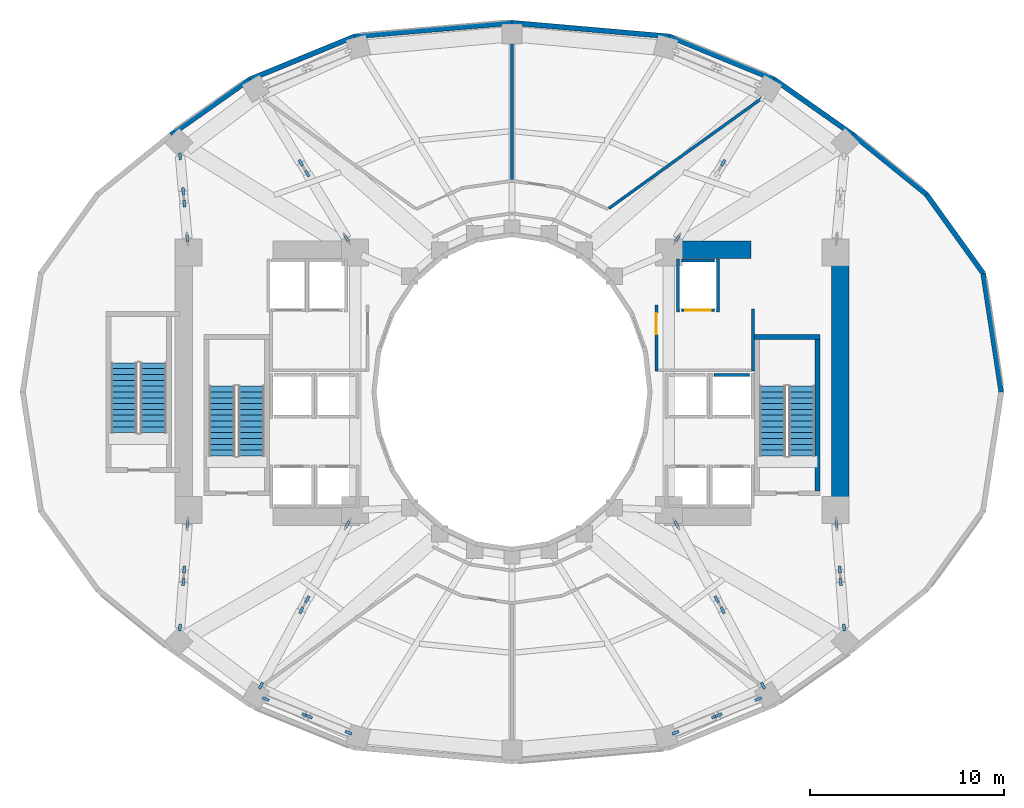
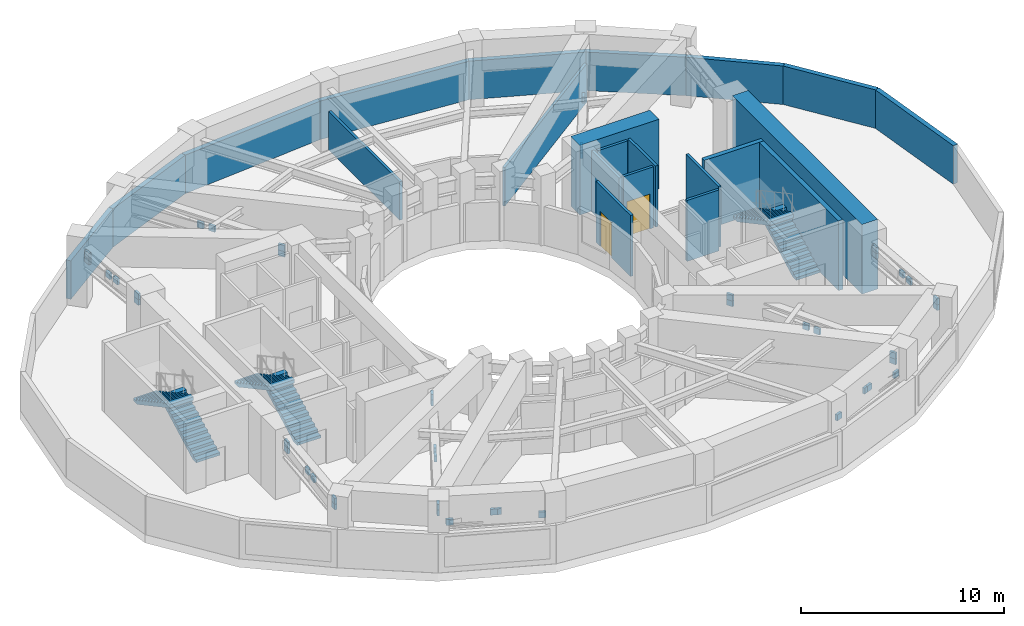
# One storey, part 6 of 10: 45 discrete accessories, 22 walls, 6 stair flights, 2 doors, 2 openings, 3 elements without a shape of their own.
"""IFC4 building model written with IfcOpenShell, lengths in metres."""

from ifc_helpers import new_model, si_unit, direction, frame, frame_2d, origin, origin_2d, place, context, subcontext, project, spatial, polyline, rectangle, outline, extrude, material, layer, layer_set, type_object, element, fill, aggregate, save


model = new_model("IFC4")

# Units and contexts
model_context = context("Model", 3, precision=1e-05, world=origin(), true_north=direction((0.0, 1.0)))
body_context = subcontext(model_context, "Body", "Model", "MODEL_VIEW")
ifc_project = project(units=[si_unit("LENGTHUNIT", "METRE"), si_unit("AREAUNIT", "SQUARE_METRE"), si_unit("VOLUMEUNIT", "CUBIC_METRE"), si_unit("PLANEANGLEUNIT", "RADIAN"), si_unit("MASSUNIT", "GRAM", prefix="KILO")], contexts=[model_context])

# Site, building, storey
site_placement = place(None, origin())
site = spatial("IfcSite", under=ifc_project, at=site_placement, CompositionType="ELEMENT")
building_placement = place(site_placement, origin())
building = spatial("IfcBuilding", under=site, at=building_placement, Name="Solvane Sanctuary Tower", CompositionType="ELEMENT")
storey_placement = place(building_placement, frame((0.0, 0.0, 64.800048828125)))
storey = spatial("IfcBuildingStorey", under=building, at=storey_placement, Name="L19", CompositionType="ELEMENT", Elevation=64.800048828125)

# Walls
ifc_material_1 = material(Name="Concrete C70/85", Category="concrete")
ifc_layer_1 = layer(ifc_material_1, 0.89990234375, Name="Concrete C70/85")
ifc_layer_set_1 = layer_set([ifc_layer_1], Name="Concrete C70/85")
wall_type_1 = type_object("IfcWallType", Name="Wall W-CORE-900", PredefinedType="SHEAR", material=ifc_layer_set_1)
wall_1_placement = place(storey_placement, frame((48.949951171875, 17.050048828125, 0.0), z_axis=(0.0, 0.0, 1.0), x_axis=(0.0, 1.0, 0.0)))
element("IfcWall", 1, at=wall_1_placement, inside=storey, type_object=wall_type_1, Name="L19 Core Shear Wall EC-E", PredefinedType="SHEAR", context=body_context, shape_type="SweptSolid", body=[
    extrude(rectangle(XDim=12.800048828125, YDim=0.89990234375, at=frame_2d((6.39990234375, 0.0))), origin(), (0.0, 0.0, 1.0), 4.199951171875),
])
wall_2_placement = place(storey_placement, frame((39.85009765625, 30.35009765625, 0.0), z_axis=(0.0, 0.0, 1.0), x_axis=(1.0, 0.0, 0.0)))
element("IfcWall", 2, at=wall_2_placement, inside=storey, type_object=wall_type_1, Name="L19 Core Shear Wall EC-N", PredefinedType="SHEAR", context=body_context, shape_type="SweptSolid", body=[
    extrude(rectangle(XDim=4.5, YDim=0.89990234375, at=frame_2d((2.25, 0.0))), origin(), (0.0, 0.0, 1.0), 4.199951171875),
])
ifc_material_2 = material(Name="Acoustic Gypsum Partition Board")
ifc_layer_2 = layer(ifc_material_2, 0.14990234375, Name="Acoustic Gypsum Partition Board")
ifc_layer_set_2 = layer_set([ifc_layer_2], Name="Acoustic Gypsum Partition Board")
wall_type_2 = type_object("IfcWallType", Name="Wall W-CORR-150", PredefinedType="PARTITIONING", material=ifc_layer_set_2)
wall_3_placement = place(storey_placement, frame((44.449951171875, 24.080078125, 0.0), z_axis=(0.0, 0.0, 1.0), x_axis=(0.0, 1.0, 0.0)))
element("IfcWall", 3, at=wall_3_placement, inside=storey, type_object=wall_type_2, Name="L19 East Firefighting Lobby East Wall", PredefinedType="PARTITIONING", context=body_context, shape_type="SweptSolid", body=[
    extrude(rectangle(XDim=3.199951171875, YDim=0.14990234375, at=frame_2d((1.60009765625, 0.0))), origin(), (0.0, 0.0, 1.0), 3.675048828125),
])

# Wall, opening, door
wall_4_placement = place(storey_placement, frame((39.449951171875, 24.080078125, 0.0), z_axis=(0.0, 0.0, 1.0), x_axis=(0.0, 1.0, 0.0)))
wall_4 = element("IfcWall", 4, at=wall_4_placement, inside=storey, type_object=wall_type_2, Name="L19 East Firefighting Lobby West Wall", PredefinedType="PARTITIONING", context=body_context, shape_type="SweptSolid", body=[
    extrude(rectangle(XDim=3.39990234375, YDim=0.14990234375, at=frame_2d((1.699951171875, 0.0))), origin(), (0.0, 0.0, 1.0), 3.675048828125),
])
opening_1_placement = place(wall_4_placement, frame((1.893798828125, 0.0, 0.0)))
opening_1 = element("IfcOpeningElement", 5, at=opening_1_placement, cuts=wall_4, Name="Opening D-L19-05", PredefinedType="OPENING", context=body_context, shape_type="SweptSolid", body=[
    extrude(rectangle(XDim=1.10009765625, YDim=2.10009765625, at=frame_2d((0.550048828125, 1.050048828125))), frame((0.0, 0.0849609375, 0.0), z_axis=(0.0, -1.0, 0.0), x_axis=(1.0, 0.0, 0.0)), (0.0, 0.0, 1.0), 0.169921875),
])
ifc_material_3 = material(Name="Architectural Stainless Steel 316", Category="steel")
door_type_1 = type_object("IfcDoorType", Name="Door D-FFL", OperationType="NOTDEFINED", PredefinedType="DOOR", material=ifc_material_3)
door_1_placement = place(opening_1_placement, origin())
door_1 = element("IfcDoor", 6, at=door_1_placement, inside=storey, type_object=door_type_1, Name="L19 East Firefighting Lobby Fire Door", OperationType="SINGLE_SWING_RIGHT", OverallHeight=2.10009765625, OverallWidth=1.10009765625, PredefinedType="DOOR", context=body_context, shape_type="SweptSolid", body=[
    extrude(rectangle(XDim=1.10009765625, YDim=2.10009765625, at=frame_2d((0.550048828125, 1.050048828125))), frame((0.0, 0.02490234375, 0.0), z_axis=(0.0, -1.0, 0.0), x_axis=(1.0, 0.0, 0.0)), (0.0, 0.0, 1.0), 0.050048828125),
])
fill(opening_1, door_1)

# Walls
wall_5_placement = place(storey_placement, frame((36.99462890625, 32.4716796875, 0.0), z_axis=(0.0, 0.0, 1.0), x_axis=(0.811691742112, 0.584086051697, 0.0)))
element("IfcWall", 7, at=wall_5_placement, inside=storey, type_object=wall_type_2, Name="L19 Mechanical Plant Radial Wall 060", PredefinedType="PARTITIONING", context=body_context, shape_type="SweptSolid", body=[
    extrude(rectangle(XDim=9.824462890625, YDim=0.14990234375, at=frame_2d((4.912109375, 0.0))), origin(), (0.0, 0.0, 1.0), 2.320068359375),
])
wall_6_placement = place(storey_placement, frame((32.0, 33.955078125, 0.0), z_axis=(0.0, 0.0, 1.0), x_axis=(0.0, 1.0, 0.0)))
element("IfcWall", 8, at=wall_6_placement, inside=storey, type_object=wall_type_2, Name="L19 Mechanical Plant Radial Wall 090", PredefinedType="PARTITIONING", context=body_context, shape_type="SweptSolid", body=[
    extrude(rectangle(XDim=7.02001953125, YDim=0.14990234375, at=frame_2d((3.510009765625, 0.0))), origin(), (0.0, 0.0, 1.0), 2.320068359375),
])
ifc_material_4 = material(Name="Precast concrete C40/50", Category="concrete")
ifc_layer_3 = layer(ifc_material_4, 0.260009765625, Name="Precast concrete C40/50")
ifc_layer_set_3 = layer_set([ifc_layer_3], Name="Precast concrete C40/50")
wall_type_3 = type_object("IfcWallType", Name="Wall W-EXT-250", PredefinedType="STANDARD", material=ifc_layer_set_3)
wall_7_placement = place(storey_placement, frame((57.260009765625, 23.0, 0.0), z_axis=(0.0, 0.0, 1.0), x_axis=(-0.150748389741, 0.988572163775, 0.0)))
element("IfcWall", 9, at=wall_7_placement, inside=storey, type_object=wall_type_3, Name="L19 Mechanical Plant Perimeter Wall 00", PredefinedType="STANDARD", context=body_context, shape_type="SweptSolid", body=[
    extrude(rectangle(XDim=6.1962890625, YDim=0.260009765625, at=frame_2d((3.09814453125, 0.0))), origin(), (0.0, 0.0, 1.0), 2.320068359375),
])
wall_8_placement = place(storey_placement, frame((56.325927734375, 29.12548828125, 0.0), z_axis=(0.0, 0.0, 1.0), x_axis=(-0.58386496218, 0.81185079044, 0.0)))
element("IfcWall", 10, at=wall_8_placement, inside=storey, type_object=wall_type_3, Name="L19 Mechanical Plant Perimeter Wall 01", PredefinedType="STANDARD", context=body_context, shape_type="SweptSolid", body=[
    extrude(rectangle(XDim=5.031982421875, YDim=0.260009765625, at=frame_2d((2.51611328125, 0.0))), origin(), (0.0, 0.0, 1.0), 2.320068359375),
])
wall_9_placement = place(storey_placement, frame((53.387939453125, 33.210693359375, 0.0), z_axis=(0.0, 0.0, 1.0), x_axis=(-0.777097920144, 0.6293797125, 0.0)))
element("IfcWall", 11, at=wall_9_placement, inside=storey, type_object=wall_type_3, Name="L19 Mechanical Plant Perimeter Wall 02", PredefinedType="STANDARD", context=body_context, shape_type="SweptSolid", body=[
    extrude(rectangle(XDim=4.87548828125, YDim=0.260009765625, at=frame_2d((2.437744140625, 0.0))), origin(), (0.0, 0.0, 1.0), 2.320068359375),
])
wall_10_placement = place(storey_placement, frame((49.59912109375, 36.279296875, 0.0), z_axis=(0.0, 0.0, 1.0), x_axis=(-0.818106773799, 0.575066349792, 0.0)))
element("IfcWall", 12, at=wall_10_placement, inside=storey, type_object=wall_type_3, Name="L19 Mechanical Plant Perimeter Wall 03", PredefinedType="STANDARD", context=body_context, shape_type="SweptSolid", body=[
    extrude(rectangle(XDim=4.971435546875, YDim=0.260009765625, at=frame_2d((2.48583984375, 0.0))), origin(), (0.0, 0.0, 1.0), 2.320068359375),
])
wall_11_placement = place(storey_placement, frame((45.531982421875, 39.13818359375, 0.0), z_axis=(0.0, 0.0, 1.0), x_axis=(-0.925415283069, 0.378954553822, 0.0)))
element("IfcWall", 13, at=wall_11_placement, inside=storey, type_object=wall_type_3, Name="L19 Mechanical Plant Perimeter Wall 04", PredefinedType="STANDARD", context=body_context, shape_type="SweptSolid", body=[
    extrude(rectangle(XDim=5.850341796875, YDim=0.260009765625, at=frame_2d((2.92529296875, 0.0))), origin(), (0.0, 0.0, 1.0), 2.320068359375),
])
for number, where, z_axis, x_axis, name in (
    (14, (40.117919921875, 41.355224609375, 0.0), (0.0, 0.0, 1.0), (-0.996251934676, 0.086499032673, 0.0), "L19 Mechanical Plant Perimeter Wall 05"),
    (15, (32.0, 42.06005859375, 0.0), (0.0, 0.0, 1.0), (-0.996251934676, -0.086499032673, 0.0), "L19 Mechanical Plant Perimeter Wall 06"),
):
    element("IfcWall", number, at=place(storey_placement, frame(where, z_axis=z_axis, x_axis=x_axis)), inside=storey, type_object=wall_type_3, Name=name, PredefinedType="STANDARD", context=body_context, shape_type="SweptSolid", body=[
        extrude(rectangle(XDim=8.1484375, YDim=0.260009765625, at=frame_2d((4.07421875, 0.0))), origin(), (0.0, 0.0, 1.0), 2.320068359375),
    ])
wall_12_placement = place(storey_placement, frame((23.882080078125, 41.355224609375, 0.0), z_axis=(0.0, 0.0, 1.0), x_axis=(-0.925415283069, -0.378954553822, 0.0)))
element("IfcWall", 16, at=wall_12_placement, inside=storey, type_object=wall_type_3, Name="L19 Mechanical Plant Perimeter Wall 07", PredefinedType="STANDARD", context=body_context, shape_type="SweptSolid", body=[
    extrude(rectangle(XDim=5.850341796875, YDim=0.260009765625, at=frame_2d((2.92529296875, 0.0))), origin(), (0.0, 0.0, 1.0), 2.320068359375),
])
wall_13_placement = place(storey_placement, frame((18.468017578125, 39.13818359375, 0.0), z_axis=(0.0, 0.0, 1.0), x_axis=(-0.818106773799, -0.575066349792, 0.0)))
element("IfcWall", 17, at=wall_13_placement, inside=storey, type_object=wall_type_3, Name="L19 Mechanical Plant Perimeter Wall 08", PredefinedType="STANDARD", context=body_context, shape_type="SweptSolid", body=[
    extrude(rectangle(XDim=4.971435546875, YDim=0.260009765625, at=frame_2d((2.48583984375, 0.0))), origin(), (0.0, 0.0, 1.0), 2.320068359375),
])
ifc_material_5 = material(Name="Concrete C50/60", Category="concrete")
ifc_layer_4 = layer(ifc_material_5, 0.14990234375, Name="Concrete C50/60")
ifc_layer_set_4 = layer_set([ifc_layer_4], Name="Concrete C50/60")
wall_type_4 = type_object("IfcWallType", Name="Wall W-SHAFT-150", PredefinedType="SOLIDWALL", material=ifc_layer_set_4)
wall_14_placement = place(storey_placement, frame((42.43994140625, 23.8798828125, 0.0), z_axis=(0.0, 0.0, 1.0), x_axis=(1.0, 0.0, 0.0)))
element("IfcWall", 18, at=wall_14_placement, inside=storey, type_object=wall_type_4, Name="L19 PM-2 Lift Shaft Wall B", PredefinedType="SOLIDWALL", context=body_context, shape_type="SweptSolid", body=[
    extrude(rectangle(XDim=1.820068359375, YDim=0.14990234375, at=frame_2d((0.91015625, 0.0))), origin(), (0.0, 0.0, 1.0), 3.675048828125),
])

# Wall, opening, door
wall_15_placement = place(storey_placement, frame((40.739990234375, 27.219970703125, 0.0), z_axis=(0.0, 0.0, 1.0), x_axis=(1.0, 0.0, 0.0)))
wall_15 = element("IfcWall", 19, at=wall_15_placement, inside=storey, type_object=wall_type_4, Name="L19 FFL-2 Lift Shaft Wall F", PredefinedType="SOLIDWALL", context=body_context, shape_type="SweptSolid", body=[
    extrude(rectangle(XDim=1.719970703125, YDim=0.14990234375, at=frame_2d((0.85986328125, 0.0))), origin(), (0.0, 0.0, 1.0), 3.675048828125),
])
opening_2_placement = place(wall_15_placement, frame((0.2099609375, 0.0, 0.0)))
opening_2 = element("IfcOpeningElement", 20, at=opening_2_placement, cuts=wall_15, Name="Opening LD-L19-07", PredefinedType="OPENING", context=body_context, shape_type="SweptSolid", body=[
    extrude(rectangle(XDim=1.300048828125, YDim=2.10009765625, at=frame_2d((0.64990234375, 1.050048828125))), frame((0.0, 0.0849609375, 0.0), z_axis=(0.0, -1.0, 0.0), x_axis=(1.0, 0.0, 0.0)), (0.0, 0.0, 1.0), 0.169921875),
])
door_type_2 = type_object("IfcDoorType", Name="Door LD-FFL-1300", OperationType="NOTDEFINED", PredefinedType="DOOR", material=ifc_material_3)
door_2_placement = place(opening_2_placement, origin())
door_2 = element("IfcDoor", 21, at=door_2_placement, inside=storey, type_object=door_type_2, Name="L19 FFL-2 Lift Landing Door", OperationType="DOUBLE_DOOR_SLIDING", OverallHeight=2.10009765625, OverallWidth=1.300048828125, PredefinedType="DOOR", context=body_context, shape_type="SweptSolid", body=[
    extrude(rectangle(XDim=1.300048828125, YDim=2.10009765625, at=frame_2d((0.64990234375, 1.050048828125))), frame((0.0, 0.02490234375, 0.0), z_axis=(0.0, -1.0, 0.0), x_axis=(1.0, 0.0, 0.0)), (0.0, 0.0, 1.0), 0.050048828125),
])
fill(opening_2, door_2)

# Walls
wall_16_placement = place(storey_placement, frame((40.739990234375, 29.780029296875, 0.0), z_axis=(0.0, 0.0, 1.0), x_axis=(1.0, 0.0, 0.0)))
element("IfcWall", 22, at=wall_16_placement, inside=storey, type_object=wall_type_4, Name="L19 FFL-2 Lift Shaft Wall B", PredefinedType="SOLIDWALL", context=body_context, shape_type="SweptSolid", body=[
    extrude(rectangle(XDim=1.719970703125, YDim=0.14990234375, at=frame_2d((0.85986328125, 0.0))), origin(), (0.0, 0.0, 1.0), 3.675048828125),
])
for number, where, z_axis, x_axis, name in (
    (23, (40.570068359375, 27.139892578125, 0.0), (0.0, 0.0, 1.0), (0.0, 1.0, 0.0), "L19 FFL-2 Lift Shaft Wall S1"),
    (24, (42.6298828125, 27.139892578125, 0.0), (0.0, 0.0, 1.0), (0.0, 1.0, 0.0), "L19 FFL-2 Lift Shaft Wall S2"),
):
    element("IfcWall", number, at=place(storey_placement, frame(where, z_axis=z_axis, x_axis=x_axis)), inside=storey, type_object=wall_type_4, Name=name, PredefinedType="SOLIDWALL", context=body_context, shape_type="SweptSolid", body=[
        extrude(rectangle(XDim=2.72021484375, YDim=0.14990234375, at=frame_2d((1.360107421875, 0.0))), origin(), (0.0, 0.0, 1.0), 3.675048828125),
    ])
ifc_layer_5 = layer(ifc_material_5, 0.25, Name="Concrete C50/60")
ifc_layer_set_5 = layer_set([ifc_layer_5], Name="Concrete C50/60")
wall_type_5 = type_object("IfcWallType", Name="Wall W-SHAFT-250", PredefinedType="SOLIDWALL", material=ifc_layer_set_5)
wall_17_placement = place(storey_placement, frame((44.52490234375, 25.830078125, 0.0), z_axis=(0.0, 0.0, 1.0), x_axis=(1.0, 0.0, 0.0)))
element("IfcWall", 25, at=wall_17_placement, inside=storey, type_object=wall_type_5, Name="L19 ST-2 Load-Bearing Shaft Wall N", PredefinedType="SOLIDWALL", context=body_context, shape_type="SweptSolid", body=[
    extrude(rectangle(XDim=3.3701171875, YDim=0.25, at=frame_2d((1.68505859375, 0.0))), origin(), (0.0, 0.0, 1.0), 4.199951171875),
])
wall_18_placement = place(storey_placement, frame((47.77001953125, 17.89501953125, 0.0), z_axis=(0.0, 0.0, 1.0), x_axis=(0.0, 1.0, 0.0)))
element("IfcWall", 26, at=wall_18_placement, inside=storey, type_object=wall_type_5, Name="L19 ST-2 Load-Bearing Shaft Wall E", PredefinedType="SOLIDWALL", context=body_context, shape_type="SweptSolid", body=[
    extrude(rectangle(XDim=7.81005859375, YDim=0.25, at=frame_2d((3.905029296875, 0.0))), origin(), (0.0, 0.0, 1.0), 4.199951171875),
])

# Stair, stair flights
ifc_material_6 = material(Name="Concrete C45/55", Category="concrete")
stair_type = type_object("IfcStairType", Name="Stair ST-TOW", PredefinedType="HALF_TURN_STAIR", material=ifc_material_6)
stair_1_placement = place(storey_placement, origin())
stair_1 = element("IfcStair", 27, at=stair_1_placement, inside=storey, type_object=stair_type, Name="L19 Exit Stair ST-1 West Core", PredefinedType="HALF_TURN_STAIR")
stair_flight_type = type_object("IfcStairFlightType", Name="StairFlight SF-TOW", PredefinedType="STRAIGHT", material=ifc_material_6)
stair_flight_1_placement = place(storey_placement, frame((18.544921875, 19.699951171875, 0.0), z_axis=(0.0, 0.0, 1.0), x_axis=(0.0, 1.0, 0.0)))
stair_flight_1 = element("IfcStairFlight", 28, at=stair_flight_1_placement, type_object=stair_flight_type, Name="ST-1 flight 1", NumberOfRisers=13, NumberOfTreads=12, PredefinedType="STRAIGHT", RiserHeight=0.161538462, TreadLength=0.3, context=body_context, shape_type="SweptSolid", body=[
    extrude(outline(polyline([(0.0, 0.0), (0.0, 0.16162109375), (0.300048828125, 0.16162109375), (0.300048828125, 0.322998046875), (0.60009765625, 0.322998046875), (0.60009765625, 0.484619140625), (0.89990234375, 0.484619140625), (0.89990234375, 0.646240234375), (1.199951171875, 0.646240234375), (1.199951171875, 0.8076171875), (1.5, 0.8076171875), (1.5, 0.96923828125), (1.800048828125, 0.96923828125), (1.800048828125, 1.130859375), (2.10009765625, 1.130859375), (2.10009765625, 1.292236328125), (2.39990234375, 1.292236328125), (2.39990234375, 1.453857421875), (2.699951171875, 1.453857421875), (2.699951171875, 1.615478515625), (3.0, 1.615478515625), (3.0, 1.77685546875), (3.300048828125, 1.77685546875), (3.300048828125, 1.9384765625), (3.60009765625, 1.9384765625), (3.60009765625, 2.10009765625), (3.60009765625, 1.734130859375), (0.379638671875, 0.0), (0.0, 0.0)])), frame((0.0, 0.675048828125, 0.0), z_axis=(0.0, -1.0, 0.0), x_axis=(1.0, 0.0, 0.0)), (0.0, 0.0, 1.0), 1.35009765625),
])
stair_flight_2_placement = place(storey_placement, frame((17.034912109375, 23.300048828125, 2.099853515625), z_axis=(0.0, 0.0, 1.0), x_axis=(0.0, -1.0, 0.0)))
stair_flight_2 = element("IfcStairFlight", 29, at=stair_flight_2_placement, type_object=stair_flight_type, Name="ST-1 flight 2", NumberOfRisers=13, NumberOfTreads=12, PredefinedType="STRAIGHT", RiserHeight=0.161538462, TreadLength=0.3, context=body_context, shape_type="SweptSolid", body=[
    extrude(outline(polyline([(0.0, 0.0), (0.0, 0.16162109375), (0.300048828125, 0.16162109375), (0.300048828125, 0.322998046875), (0.60009765625, 0.322998046875), (0.60009765625, 0.484619140625), (0.89990234375, 0.484619140625), (0.89990234375, 0.646240234375), (1.199951171875, 0.646240234375), (1.199951171875, 0.8076171875), (1.5, 0.8076171875), (1.5, 0.96923828125), (1.800048828125, 0.96923828125), (1.800048828125, 1.130859375), (2.10009765625, 1.130859375), (2.10009765625, 1.292236328125), (2.39990234375, 1.292236328125), (2.39990234375, 1.453857421875), (2.699951171875, 1.453857421875), (2.699951171875, 1.615478515625), (3.0, 1.615478515625), (3.0, 1.77685546875), (3.300048828125, 1.77685546875), (3.300048828125, 1.9384765625), (3.60009765625, 1.9384765625), (3.60009765625, 2.10009765625), (3.60009765625, 1.734130859375), (0.379638671875, 0.0), (0.0, 0.0)])), frame((0.0, 0.675048828125, 0.0), z_axis=(0.0, -1.0, 0.0), x_axis=(1.0, 0.0, 0.0)), (0.0, 0.0, 1.0), 1.35009765625),
])
aggregate(stair_1, [stair_flight_1, stair_flight_2])

stair_2_placement = place(storey_placement, origin())
stair_2 = element("IfcStair", 30, at=stair_2_placement, inside=storey, type_object=stair_type, Name="L19 Exit Stair ST-2 East Core", PredefinedType="HALF_TURN_STAIR")
stair_flight_3_placement = place(storey_placement, frame((46.965087890625, 19.699951171875, 0.0), z_axis=(0.0, 0.0, 1.0), x_axis=(0.0, 1.0, 0.0)))
stair_flight_3 = element("IfcStairFlight", 31, at=stair_flight_3_placement, type_object=stair_flight_type, Name="ST-2 flight 1", NumberOfRisers=13, NumberOfTreads=12, PredefinedType="STRAIGHT", RiserHeight=0.161538462, TreadLength=0.3, context=body_context, shape_type="SweptSolid", body=[
    extrude(outline(polyline([(0.0, 0.0), (0.0, 0.16162109375), (0.300048828125, 0.16162109375), (0.300048828125, 0.322998046875), (0.60009765625, 0.322998046875), (0.60009765625, 0.484619140625), (0.89990234375, 0.484619140625), (0.89990234375, 0.646240234375), (1.199951171875, 0.646240234375), (1.199951171875, 0.8076171875), (1.5, 0.8076171875), (1.5, 0.96923828125), (1.800048828125, 0.96923828125), (1.800048828125, 1.130859375), (2.10009765625, 1.130859375), (2.10009765625, 1.292236328125), (2.39990234375, 1.292236328125), (2.39990234375, 1.453857421875), (2.699951171875, 1.453857421875), (2.699951171875, 1.615478515625), (3.0, 1.615478515625), (3.0, 1.77685546875), (3.300048828125, 1.77685546875), (3.300048828125, 1.9384765625), (3.60009765625, 1.9384765625), (3.60009765625, 2.10009765625), (3.60009765625, 1.734130859375), (0.379638671875, 0.0), (0.0, 0.0)])), frame((0.0, 0.675048828125, 0.0), z_axis=(0.0, -1.0, 0.0), x_axis=(1.0, 0.0, 0.0)), (0.0, 0.0, 1.0), 1.35009765625),
])
stair_flight_4_placement = place(storey_placement, frame((45.455078125, 23.300048828125, 2.099853515625), z_axis=(0.0, 0.0, 1.0), x_axis=(0.0, -1.0, 0.0)))
stair_flight_4 = element("IfcStairFlight", 32, at=stair_flight_4_placement, type_object=stair_flight_type, Name="ST-2 flight 2", NumberOfRisers=13, NumberOfTreads=12, PredefinedType="STRAIGHT", RiserHeight=0.161538462, TreadLength=0.3, context=body_context, shape_type="SweptSolid", body=[
    extrude(outline(polyline([(0.0, 0.0), (0.0, 0.16162109375), (0.300048828125, 0.16162109375), (0.300048828125, 0.322998046875), (0.60009765625, 0.322998046875), (0.60009765625, 0.484619140625), (0.89990234375, 0.484619140625), (0.89990234375, 0.646240234375), (1.199951171875, 0.646240234375), (1.199951171875, 0.8076171875), (1.5, 0.8076171875), (1.5, 0.96923828125), (1.800048828125, 0.96923828125), (1.800048828125, 1.130859375), (2.10009765625, 1.130859375), (2.10009765625, 1.292236328125), (2.39990234375, 1.292236328125), (2.39990234375, 1.453857421875), (2.699951171875, 1.453857421875), (2.699951171875, 1.615478515625), (3.0, 1.615478515625), (3.0, 1.77685546875), (3.300048828125, 1.77685546875), (3.300048828125, 1.9384765625), (3.60009765625, 1.9384765625), (3.60009765625, 2.10009765625), (3.60009765625, 1.734130859375), (0.379638671875, 0.0), (0.0, 0.0)])), frame((0.0, 0.675048828125, 0.0), z_axis=(0.0, -1.0, 0.0), x_axis=(1.0, 0.0, 0.0)), (0.0, 0.0, 1.0), 1.35009765625),
])
aggregate(stair_2, [stair_flight_3, stair_flight_4])

stair_3_placement = place(storey_placement, origin())
stair_3 = element("IfcStair", 33, at=stair_3_placement, inside=storey, type_object=stair_type, Name="L19 Exit Stair ST-3 Pilgrim Tower Stair", PredefinedType="HALF_TURN_STAIR")
stair_flight_5_placement = place(storey_placement, frame((13.485107421875, 20.89990234375, 0.0), z_axis=(0.0, 0.0, 1.0), x_axis=(0.0, 1.0, 0.0)))
stair_flight_5 = element("IfcStairFlight", 34, at=stair_flight_5_placement, type_object=stair_flight_type, Name="ST-3 flight 1", NumberOfRisers=13, NumberOfTreads=12, PredefinedType="STRAIGHT", RiserHeight=0.161538462, TreadLength=0.3, context=body_context, shape_type="SweptSolid", body=[
    extrude(outline(polyline([(0.0, 0.0), (0.0, 0.16162109375), (0.300048828125, 0.16162109375), (0.300048828125, 0.322998046875), (0.60009765625, 0.322998046875), (0.60009765625, 0.484619140625), (0.89990234375, 0.484619140625), (0.89990234375, 0.646240234375), (1.199951171875, 0.646240234375), (1.199951171875, 0.8076171875), (1.5, 0.8076171875), (1.5, 0.96923828125), (1.800048828125, 0.96923828125), (1.800048828125, 1.130859375), (2.10009765625, 1.130859375), (2.10009765625, 1.292236328125), (2.39990234375, 1.292236328125), (2.39990234375, 1.453857421875), (2.699951171875, 1.453857421875), (2.699951171875, 1.615478515625), (3.0, 1.615478515625), (3.0, 1.77685546875), (3.300048828125, 1.77685546875), (3.300048828125, 1.9384765625), (3.60009765625, 1.9384765625), (3.60009765625, 2.10009765625), (3.60009765625, 1.734130859375), (0.379638671875, 0.0), (0.0, 0.0)])), frame((0.0, 0.675048828125, 0.0), z_axis=(0.0, -1.0, 0.0), x_axis=(1.0, 0.0, 0.0)), (0.0, 0.0, 1.0), 1.35009765625),
])
stair_flight_6_placement = place(storey_placement, frame((11.97509765625, 24.5, 2.099853515625), z_axis=(0.0, 0.0, 1.0), x_axis=(0.0, -1.0, 0.0)))
stair_flight_6 = element("IfcStairFlight", 35, at=stair_flight_6_placement, type_object=stair_flight_type, Name="ST-3 flight 2", NumberOfRisers=13, NumberOfTreads=12, PredefinedType="STRAIGHT", RiserHeight=0.161538462, TreadLength=0.3, context=body_context, shape_type="SweptSolid", body=[
    extrude(outline(polyline([(0.0, 0.0), (0.0, 0.16162109375), (0.300048828125, 0.16162109375), (0.300048828125, 0.322998046875), (0.60009765625, 0.322998046875), (0.60009765625, 0.484619140625), (0.89990234375, 0.484619140625), (0.89990234375, 0.646240234375), (1.199951171875, 0.646240234375), (1.199951171875, 0.8076171875), (1.5, 0.8076171875), (1.5, 0.96923828125), (1.800048828125, 0.96923828125), (1.800048828125, 1.130859375), (2.10009765625, 1.130859375), (2.10009765625, 1.292236328125), (2.39990234375, 1.292236328125), (2.39990234375, 1.453857421875), (2.699951171875, 1.453857421875), (2.699951171875, 1.615478515625), (3.0, 1.615478515625), (3.0, 1.77685546875), (3.300048828125, 1.77685546875), (3.300048828125, 1.9384765625), (3.60009765625, 1.9384765625), (3.60009765625, 2.10009765625), (3.60009765625, 1.734130859375), (0.379638671875, 0.0), (0.0, 0.0)])), frame((0.0, 0.675048828125, 0.0), z_axis=(0.0, -1.0, 0.0), x_axis=(1.0, 0.0, 0.0)), (0.0, 0.0, 1.0), 1.35009765625),
])
aggregate(stair_3, [stair_flight_5, stair_flight_6])

# Discrete accessories
ifc_material_7 = material(Name="Steel ASTM A572 Grade 50", Category="steel")
ifc_layer_6 = layer(ifc_material_7, 0.360107421875, Name="Steel ASTM A572 Grade 50")
ifc_layer_set_6 = layer_set([ifc_layer_6], Name="Steel ASTM A572 Grade 50")
discrete_accessory_type = type_object("IfcDiscreteAccessoryType", Name="Accessory ACC-GUSSET-BRK", PredefinedType="BRACKET", material=ifc_layer_set_6)
for number, where, z_axis, x_axis, name in (
    (36, (15.23681640625, 30.9248046875, 2.68017578125), (0.0, 0.0, 1.0), (-0.086807999895, 0.996225060493, 0.0), "L19 Outrigger Truss Diagonal OW1 End Gusset Bracket A"),
    (37, (14.86669921875, 35.16748046875, 3.0185546875), (0.0, 0.0, 1.0), (-0.086807999895, 0.996225060493, 0.0), "L19 Outrigger Truss Diagonal OW1 End Gusset Bracket B"),
    (38, (14.86669921875, 35.16748046875, 2.68017578125), (0.0, 0.0, 1.0), (0.086807999895, -0.996225060493, 0.0), "L19 Outrigger Counter-Diagonal Lower Half OW1 End Gusset Bracket A"),
    (39, (15.023681640625, 33.368896484375, 2.82373046875), (0.0, 0.0, 1.0), (0.086807999895, -0.996225060493, 0.0), "L19 Outrigger Counter-Diagonal Lower Half OW1 End Gusset Bracket B"),
    (40, (15.080078125, 32.723388671875, 2.875), (0.0, 0.0, 1.0), (0.086807999895, -0.996225060493, 0.0), "L19 Outrigger Counter-Diagonal Upper Half OW1 End Gusset Bracket A"),
    (41, (15.23681640625, 30.9248046875, 3.0185546875), (0.0, 0.0, 1.0), (0.086807999895, -0.996225060493, 0.0), "L19 Outrigger Counter-Diagonal Upper Half OW1 End Gusset Bracket B"),
    (42, (23.462646484375, 30.92138671875, 2.6796875), (0.0, 0.0, 1.0), (-0.518474806022, 0.855092904614, 0.0), "L19 Outrigger Truss Diagonal OW2 End Gusset Bracket A"),
    (43, (21.094970703125, 34.826904296875, 2.83642578125), (0.0, 0.0, 1.0), (0.518474806022, -0.855092904614, 0.0), "L19 Outrigger Counter-Diagonal Lower Half OW2 End Gusset Bracket B"),
    (44, (21.431396484375, 34.271484375, 2.8623046875), (0.0, 0.0, 1.0), (0.518474806022, -0.855092904614, 0.0), "L19 Outrigger Counter-Diagonal Upper Half OW2 End Gusset Bracket A"),
    (45, (23.462646484375, 30.92138671875, 3.01953125), (0.0, 0.0, 1.0), (0.518474806022, -0.855092904614, 0.0), "L19 Outrigger Counter-Diagonal Upper Half OW2 End Gusset Bracket B"),
    (46, (15.2470703125, 16.175048828125, 2.6796875), (0.0, 0.0, 1.0), (-0.072890064247, -0.997339981418, 0.0), "L19 Outrigger Truss Diagonal OW3 End Gusset Bracket A"),
    (47, (14.857421875, 10.841552734375, 3.01904296875), (0.0, 0.0, 1.0), (-0.072890064247, -0.997339981418, 0.0), "L19 Outrigger Truss Diagonal OW3 End Gusset Bracket B"),
    (48, (14.857421875, 10.841552734375, 2.6796875), (0.0, 0.0, 1.0), (0.072890064247, 0.997339981418, 0.0), "L19 Outrigger Counter-Diagonal Lower Half OW3 End Gusset Bracket A"),
    (49, (15.02880859375, 13.184814453125, 2.82861328125), (0.0, 0.0, 1.0), (0.072890064247, 0.997339981418, 0.0), "L19 Outrigger Counter-Diagonal Lower Half OW3 End Gusset Bracket B"),
    (50, (15.075927734375, 13.831787109375, 2.8701171875), (0.0, 0.0, 1.0), (0.072890064247, 0.997339981418, 0.0), "L19 Outrigger Counter-Diagonal Upper Half OW3 End Gusset Bracket A"),
    (51, (15.2470703125, 16.175048828125, 3.01904296875), (0.0, 0.0, 1.0), (0.072890064247, 0.997339981418, 0.0), "L19 Outrigger Counter-Diagonal Upper Half OW3 End Gusset Bracket B"),
    (52, (23.5126953125, 16.177978515625, 2.67919921875), (0.0, 0.0, 1.0), (-0.47270457414, -0.881220962975, 0.0), "L19 Outrigger Truss Diagonal OW4 End Gusset Bracket A"),
    (53, (19.03857421875, 7.837646484375, 3.01953125), (0.0, 0.0, 1.0), (-0.47270457414, -0.881220962975, 0.0), "L19 Outrigger Truss Diagonal OW4 End Gusset Bracket B"),
    (54, (19.03857421875, 7.837646484375, 2.67919921875), (0.0, 0.0, 1.0), (0.47270457414, 0.881220962975, 0.0), "L19 Outrigger Counter-Diagonal Lower Half OW4 End Gusset Bracket A"),
    (55, (21.122314453125, 11.7216796875, 2.837890625), (0.0, 0.0, 1.0), (0.47270457414, 0.881220962975, 0.0), "L19 Outrigger Counter-Diagonal Lower Half OW4 End Gusset Bracket B"),
    (56, (21.42919921875, 12.2939453125, 2.86083984375), (0.0, 0.0, 1.0), (0.47270457414, 0.881220962975, 0.0), "L19 Outrigger Counter-Diagonal Upper Half OW4 End Gusset Bracket A"),
    (57, (23.5126953125, 16.177978515625, 3.01953125), (0.0, 0.0, 1.0), (0.47270457414, 0.881220962975, 0.0), "L19 Outrigger Counter-Diagonal Upper Half OW4 End Gusset Bracket B"),
    (58, (40.537353515625, 30.92138671875, 2.6796875), (0.0, 0.0, 1.0), (0.518474806022, 0.855092904614, 0.0), "L19 Outrigger Truss Diagonal OE2 End Gusset Bracket A"),
    (59, (42.905029296875, 34.826904296875, 2.83642578125), (0.0, 0.0, 1.0), (-0.518474806022, -0.855092904614, 0.0), "L19 Outrigger Counter-Diagonal Lower Half OE2 End Gusset Bracket B"),
    (60, (40.537353515625, 30.92138671875, 3.01953125), (0.0, 0.0, 1.0), (-0.518474806022, -0.855092904614, 0.0), "L19 Outrigger Counter-Diagonal Upper Half OE2 End Gusset Bracket B"),
    (61, (48.7529296875, 16.175048828125, 2.6796875), (0.0, 0.0, 1.0), (0.072890064247, -0.997339981418, 0.0), "L19 Outrigger Truss Diagonal OE3 End Gusset Bracket A"),
    (62, (49.142578125, 10.841552734375, 3.01904296875), (0.0, 0.0, 1.0), (0.072890064247, -0.997339981418, 0.0), "L19 Outrigger Truss Diagonal OE3 End Gusset Bracket B"),
    (63, (49.142578125, 10.841552734375, 2.6796875), (0.0, 0.0, 1.0), (-0.072890064247, 0.997339981418, 0.0), "L19 Outrigger Counter-Diagonal Lower Half OE3 End Gusset Bracket A"),
    (64, (48.97119140625, 13.184814453125, 2.82861328125), (0.0, 0.0, 1.0), (-0.072890064247, 0.997339981418, 0.0), "L19 Outrigger Counter-Diagonal Lower Half OE3 End Gusset Bracket B"),
    (65, (48.924072265625, 13.831787109375, 2.8701171875), (0.0, 0.0, 1.0), (-0.072890064247, 0.997339981418, 0.0), "L19 Outrigger Counter-Diagonal Upper Half OE3 End Gusset Bracket A"),
    (66, (48.7529296875, 16.175048828125, 3.01904296875), (0.0, 0.0, 1.0), (-0.072890064247, 0.997339981418, 0.0), "L19 Outrigger Counter-Diagonal Upper Half OE3 End Gusset Bracket B"),
    (67, (40.4873046875, 16.177978515625, 2.67919921875), (0.0, 0.0, 1.0), (0.47270457414, -0.881220962975, 0.0), "L19 Outrigger Truss Diagonal OE4 End Gusset Bracket A"),
    (68, (44.96142578125, 7.837646484375, 3.01953125), (0.0, 0.0, 1.0), (0.47270457414, -0.881220962975, 0.0), "L19 Outrigger Truss Diagonal OE4 End Gusset Bracket B"),
    (69, (44.96142578125, 7.837646484375, 2.67919921875), (0.0, 0.0, 1.0), (-0.47270457414, 0.881220962975, 0.0), "L19 Outrigger Counter-Diagonal Lower Half OE4 End Gusset Bracket A"),
    (70, (42.877685546875, 11.7216796875, 2.837890625), (0.0, 0.0, 1.0), (-0.47270457414, 0.881220962975, 0.0), "L19 Outrigger Counter-Diagonal Lower Half OE4 End Gusset Bracket B"),
    (71, (42.57080078125, 12.2939453125, 2.86083984375), (0.0, 0.0, 1.0), (-0.47270457414, 0.881220962975, 0.0), "L19 Outrigger Counter-Diagonal Upper Half OE4 End Gusset Bracket A"),
    (72, (40.4873046875, 16.177978515625, 3.01953125), (0.0, 0.0, 1.0), (-0.47270457414, 0.881220962975, 0.0), "L19 Outrigger Counter-Diagonal Upper Half OE4 End Gusset Bracket B"),
    (73, (19.2880859375, 7.145751953125, 2.37060546875), (0.0, 0.0, 1.0), (0.926397247385, -0.376547659716, 0.0), "L19 Belt Truss Diagonal 09-10 End Gusset Bracket A"),
    (74, (21.328125, 6.316650390625, 2.77001953125), (0.0, 0.0, 1.0), (0.926397247385, -0.376547659716, 0.0), "L19 Belt Truss Diagonal 09-10 End Gusset Bracket B"),
    (75, (21.51953125, 6.239013671875, 2.77001953125), (0.0, 0.0, 1.0), (0.926462953239, -0.376385967161, 0.0), "L19 Belt Truss Web Strut 09-10 End Gusset Bracket A"),
    (76, (23.559814453125, 5.409912109375, 2.37060546875), (0.0, 0.0, 1.0), (0.926462953239, -0.376385967161, 0.0), "L19 Belt Truss Web Strut 09-10 End Gusset Bracket B"),
    (77, (40.440185546875, 5.409912109375, 2.37060546875), (0.0, 0.0, 1.0), (0.926462953239, 0.376385967161, 0.0), "L19 Belt Truss Diagonal 12-13 End Gusset Bracket A"),
    (78, (42.480224609375, 6.239013671875, 2.77001953125), (0.0, 0.0, 1.0), (0.926462953239, 0.376385967161, 0.0), "L19 Belt Truss Diagonal 12-13 End Gusset Bracket B"),
    (79, (42.671630859375, 6.316650390625, 2.77001953125), (0.0, 0.0, 1.0), (0.926397247385, 0.376547659716, 0.0), "L19 Belt Truss Web Strut 12-13 End Gusset Bracket A"),
    (80, (44.7119140625, 7.145751953125, 2.37060546875), (0.0, 0.0, 1.0), (0.926397247385, 0.376547659716, 0.0), "L19 Belt Truss Web Strut 12-13 End Gusset Bracket B"),
):
    element("IfcDiscreteAccessory", number, at=place(storey_placement, frame(where, z_axis=z_axis, x_axis=x_axis)), inside=storey, type_object=discrete_accessory_type, Name=name, PredefinedType="BRACKET", context=body_context, shape_type="SweptSolid", body=[
        extrude(rectangle(XDim=0.360107421875, YDim=0.139892578125, at=origin_2d()), origin(), (0.0, 0.0, 1.0), 0.360107421875),
    ])

save(model, "model.ifc")
